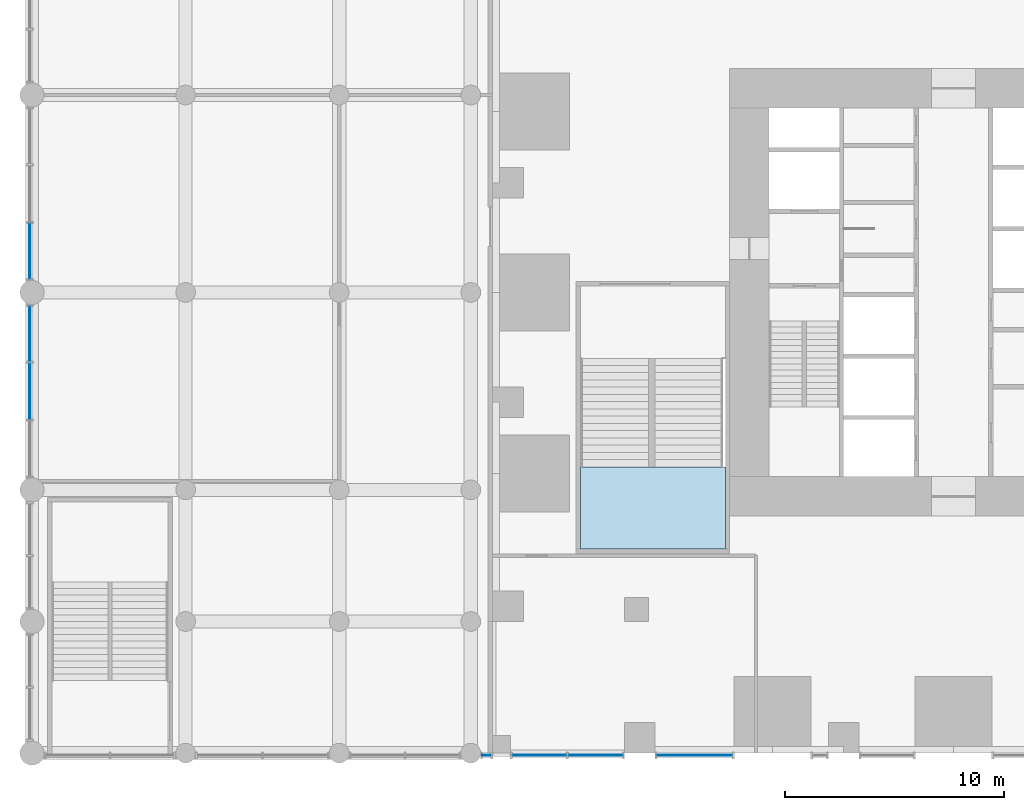
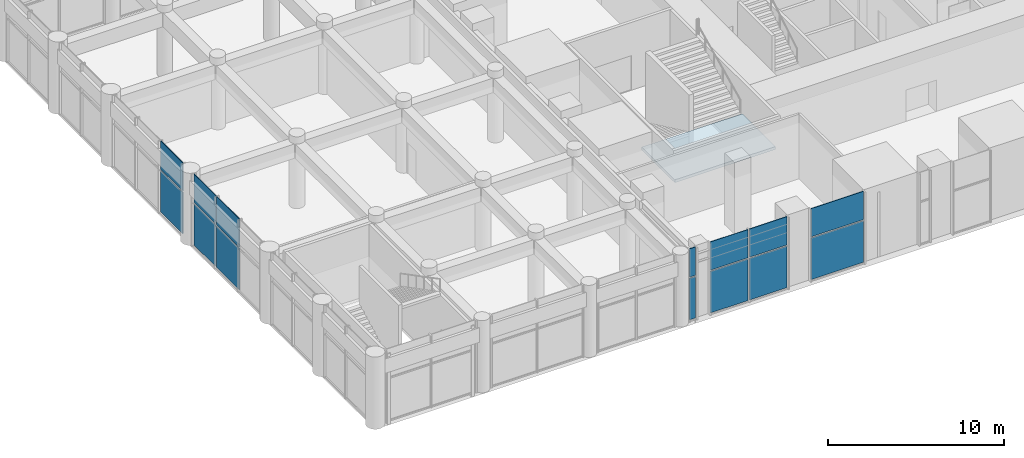
# One storey, part 10 of 23: 14 plates, 1 slab, 6 elements without a shape of their own.
"""IFC4 building model written with IfcOpenShell, lengths in metres."""

import ifcopenshell
import ifcopenshell.guid

model = None  # the IFC model being written
_history = None  # IfcOwnerHistory: only IFC2X3 demands one
_inside = {}  # id of a spatial element -> (the spatial element, [elements in it])
_under = {}  # id of a project, library or spatial element -> (it, [spatial elements below it])
_declared = {}  # id of a project -> (the project, [libraries it declares])
_typed = {}  # id of a type object -> (the type object, [elements of that type])
_made_of = {}  # id of a material, layer set ... -> (it, [elements and type objects made of it])


def new_model(schema):
    """Start an empty IFC model of exactly this schema.

    Asked for "IFC4X3", IfcOpenShell would pick the latest addendum, in which some entities
    have other attributes; the version numbers below select the first issue.
    IFC2X3 requires an IfcOwnerHistory on every rooted entity: one is made here for all.
    """
    global model, _history
    if schema == "IFC4X3":
        model = ifcopenshell.file(schema_version=(4, 3, 0, 0))
    else:
        model = ifcopenshell.file(schema=schema)
    _inside.clear()
    _under.clear()
    _declared.clear()
    _typed.clear()
    _made_of.clear()
    _history = None
    if model.schema == "IFC2X3":
        org = make("IfcOrganization", Name="unknown")
        user = make(
            "IfcPersonAndOrganization",
            ThePerson=make("IfcPerson", FamilyName="unknown"),
            TheOrganization=org,
        )
        app = make(
            "IfcApplication",
            ApplicationDeveloper=org,
            Version="unknown",
            ApplicationFullName="unknown",
            ApplicationIdentifier="unknown",
        )
        _history = make(
            "IfcOwnerHistory",
            OwningUser=user,
            OwningApplication=app,
            ChangeAction="ADDED",
            CreationDate=0,
        )
    return model


def make(cls, **values):
    """One entity of the class cls with the attributes given. An attribute that is None is left unset."""
    return model.create_entity(
        cls, **{name: value for name, value in values.items() if value is not None}
    )


def rooted(cls, **values):
    """An entity with a GlobalId (a new one), such as an element, a storey or a relation."""
    return make(cls, GlobalId=ifcopenshell.guid.new(), OwnerHistory=_history, **values)


def si_unit(unit_type, name, prefix=None):
    """IfcSIUnit, for example si_unit("LENGTHUNIT", "METRE", prefix="MILLI")."""
    return make("IfcSIUnit", UnitType=unit_type, Prefix=prefix, Name=name)


def assignment(units):
    """IfcUnitAssignment: the units of a project."""
    return None if units is None else make("IfcUnitAssignment", Units=units)


def point(xyz):
    """IfcCartesianPoint."""
    return None if xyz is None else make("IfcCartesianPoint", Coordinates=xyz)


def direction(xyz):
    """IfcDirection."""
    return None if xyz is None else make("IfcDirection", DirectionRatios=xyz)


def frame(location, z_axis=None, x_axis=None):
    """IfcAxis2Placement3D, a coordinate frame: its origin and axes. An axis left out is left unset."""
    return make(
        "IfcAxis2Placement3D",
        Location=point(location),
        Axis=direction(z_axis),
        RefDirection=direction(x_axis),
    )


def frame_2d(location, x_axis=None):
    """IfcAxis2Placement2D, a coordinate frame in the plane: its origin and x axis."""
    return make(
        "IfcAxis2Placement2D", Location=point(location), RefDirection=direction(x_axis)
    )


def origin():
    """The frame at (0, 0, 0) with its axes left unset."""
    return frame((0.0, 0.0, 0.0))


def origin_2d():
    """The frame at (0, 0) in the plane with its x axis left unset."""
    return frame_2d((0.0, 0.0))


def place(relative_to, where):
    """IfcLocalPlacement: puts the frame where relative to a parent placement (None: the world)."""
    return make(
        "IfcLocalPlacement", PlacementRelTo=relative_to, RelativePlacement=where
    )


def context(
    kind, dimensions, precision=None, world=None, true_north=None, identifier=None
):
    """IfcGeometricRepresentationContext, for example the 3D "Model" context."""
    return make(
        "IfcGeometricRepresentationContext",
        ContextIdentifier=identifier,
        ContextType=kind,
        CoordinateSpaceDimension=dimensions,
        Precision=precision,
        WorldCoordinateSystem=world,
        TrueNorth=true_north,
    )


def subcontext(parent, identifier, kind, view, scale=None):
    """IfcGeometricRepresentationSubContext, for example "Body" below "Model"."""
    return make(
        "IfcGeometricRepresentationSubContext",
        ContextIdentifier=identifier,
        ContextType=kind,
        ParentContext=parent,
        TargetScale=scale,
        TargetView=view,
    )


def project(units=None, contexts=None):
    """IfcProject with its units and contexts."""
    return rooted(
        "IfcProject",
        Name="project",
        RepresentationContexts=contexts,
        UnitsInContext=assignment(units),
    )


def spatial(cls, under=None, at=None, **own):
    """A site, building, storey or space (cls), placed at a placement, below another one or the project."""
    s = rooted(cls, ObjectPlacement=at, **own)
    if under is not None:
        _under.setdefault(under.id(), (under, []))[1].append(s)
    return s


def polyline(points):
    """IfcPolyline through the points."""
    return make("IfcPolyline", Points=[point(p) for p in points])


def profile(cls, at=None, kind="AREA", **sizes):
    """A parametric profile (cls). Its sizes go by their IFC names, for example OverallWidth=200.0."""
    return make(cls, ProfileType=kind, Position=at, **sizes)


def rectangle(**sizes):
    """IfcRectangleProfileDef."""
    return profile("IfcRectangleProfileDef", **sizes)


def outline(outer, holes=None, kind="AREA"):
    """IfcArbitraryClosedProfileDef: a profile drawn as a closed curve; with holes, ...WithVoids."""
    if holes is None:
        return make("IfcArbitraryClosedProfileDef", ProfileType=kind, OuterCurve=outer)
    return make(
        "IfcArbitraryProfileDefWithVoids",
        ProfileType=kind,
        OuterCurve=outer,
        InnerCurves=holes,
    )


def extrude(swept, where, along, depth):
    """IfcExtrudedAreaSolid: the profile swept, set in the frame where, extruded along a direction by depth."""
    return make(
        "IfcExtrudedAreaSolid",
        SweptArea=swept,
        Position=where,
        ExtrudedDirection=direction(along),
        Depth=depth,
    )


def shape(context_of_items, identifier, shape_type, items):
    """IfcShapeRepresentation: the items that make up one representation, for example the "Body"."""
    return make(
        "IfcShapeRepresentation",
        ContextOfItems=context_of_items,
        RepresentationIdentifier=identifier,
        RepresentationType=shape_type,
        Items=items,
    )


def material(Name=None, Category=None):
    """IfcMaterial."""
    return make("IfcMaterial", Name=Name, Category=Category)


def layer(
    of_material, thickness, ventilated=None, Name=None, Category=None, Priority=None
):
    """IfcMaterialLayer: one layer of a wall or slab, of a material (None: an air gap)."""
    return make(
        "IfcMaterialLayer",
        Material=of_material,
        LayerThickness=thickness,
        IsVentilated=ventilated,
        Name=Name,
        Category=Category,
        Priority=Priority,
    )


def layer_set(layers, Name=None):
    """IfcMaterialLayerSet."""
    return make("IfcMaterialLayerSet", MaterialLayers=layers, LayerSetName=Name)


def made_of(thing, what):
    """Note that an element or type object is made of a material, layer set ...; save() writes the relation."""
    if what is not None:
        _made_of.setdefault(what.id(), (what, []))[1].append(thing)
    return thing


def type_object(cls, material=None, **own):
    """A type object (cls), such as IfcWallType, which elements share."""
    return made_of(rooted(cls, **own), material)


def element(
    cls,
    number,
    at=None,
    inside=None,
    cuts=None,
    type_object=None,
    material=None,
    context=None,
    identifier="Body",
    shape_type=None,
    held_by="IfcProductDefinitionShape",
    body=None,
    shapes=None,
    **own,
):
    """One element of the class cls, such as IfcWall. Its Tag is "e" and its number.

    at: its placement. inside: the storey or other place that contains it. cuts: it is an
    opening in that element (IfcRelVoidsElement). A single representation is given by context,
    identifier, shape_type and body (its items); several are given by shapes. held_by: the class
    of the entity that holds the representations. save() writes the other relations.
    """
    e = rooted(cls, Tag="e%d" % number, ObjectPlacement=at, **own)
    if body is not None:
        shapes = [shape(context, identifier, shape_type, body)]
    if shapes is not None:
        e.Representation = make(held_by, Representations=shapes)
    if inside is not None:
        _inside.setdefault(inside.id(), (inside, []))[1].append(e)
    if cuts is not None:
        rooted(
            "IfcRelVoidsElement", RelatingBuildingElement=cuts, RelatedOpeningElement=e
        )
    if type_object is not None:
        _typed.setdefault(type_object.id(), (type_object, []))[1].append(e)
    return made_of(e, material)


def aggregate(whole, parts):
    """IfcRelAggregates: a whole, such as a stair, and the parts it consists of."""
    return rooted("IfcRelAggregates", RelatingObject=whole, RelatedObjects=parts)


def save(model, path):
    """Write the relations noted so far, then the file.

    IfcRelAggregates (storeys below a building ...), IfcRelContainedInSpatialStructure (elements
    in a storey), IfcRelDefinesByType, IfcRelAssociatesMaterial and IfcRelDeclares: one each for
    every whole, place, type object, material and project.
    """
    for whole, parts in _under.values():
        aggregate(whole, parts)
    for where, things in _inside.values():
        rooted(
            "IfcRelContainedInSpatialStructure",
            RelatedElements=things,
            RelatingStructure=where,
        )
    for kind, things in _typed.values():
        rooted("IfcRelDefinesByType", RelatedObjects=things, RelatingType=kind)
    for what, things in _made_of.values():
        rooted("IfcRelAssociatesMaterial", RelatedObjects=things, RelatingMaterial=what)
    for by, libraries in _declared.values():
        rooted("IfcRelDeclares", RelatingContext=by, RelatedDefinitions=libraries)
    model.write(path)


model = new_model("IFC4")

# Units and contexts
model_context = context("Model", 3, precision=1e-05, world=origin(), true_north=direction((0.0, 1.0)))
body_context = subcontext(model_context, "Body", "Model", "MODEL_VIEW")
ifc_project = project(units=[si_unit("LENGTHUNIT", "METRE"), si_unit("AREAUNIT", "SQUARE_METRE"), si_unit("VOLUMEUNIT", "CUBIC_METRE"), si_unit("PLANEANGLEUNIT", "RADIAN"), si_unit("MASSUNIT", "GRAM", prefix="KILO")], contexts=[model_context])

# Site, building, storey
site_placement = place(None, origin())
site = spatial("IfcSite", under=ifc_project, at=site_placement, CompositionType="ELEMENT")
building_placement = place(site_placement, origin())
building = spatial("IfcBuilding", under=site, at=building_placement, Name="Svetlomir Tower", CompositionType="ELEMENT")
storey_placement = place(building_placement, frame((0.0, 0.0, 6.0)))
storey = spatial("IfcBuildingStorey", under=building, at=storey_placement, Name="L01", CompositionType="ELEMENT", Elevation=6.0)

# Curtain wall, plates
ifc_material_1 = material(Name="Bronze anodised aluminium curtain wall", Category="aluminium")
curtain_wall_type = type_object("IfcCurtainWallType", Name="CURTAIN WALL CW5 PODIUM", PredefinedType="NOTDEFINED", material=ifc_material_1)
curtain_wall_1_placement = place(storey_placement, origin())
curtain_wall_1 = element("IfcCurtainWall", 1, at=curtain_wall_1_placement, inside=storey, type_object=curtain_wall_type, Name="Curtain wall CW5 L01", PredefinedType="NOTDEFINED")
ifc_material_2 = material(Name="Tinted double glazed unit", Category="glass")
ifc_layer_1 = layer(ifc_material_2, 0.0400390625)
ifc_layer_set_1 = layer_set([ifc_layer_1], Name="Tinted double glazed unit")
plate_type = type_object("IfcPlateType", Name="CW5 GLAZED PANEL 40", PredefinedType="CURTAIN_PANEL", material=ifc_layer_set_1)
plate_1_placement = place(storey_placement, frame((-0.27490234375, -0.10009765625, 0.080078125), z_axis=(0.0, 0.0, 1.0), x_axis=(1.0, 0.0, 0.0)))
plate_1 = element("IfcPlate", 2, at=plate_1_placement, type_object=plate_type, Name="CW5 panel 1.1", PredefinedType="CURTAIN_PANEL", context=body_context, shape_type="SweptSolid", body=[
    extrude(rectangle(XDim=0.389892578125, YDim=0.0400390625, at=origin_2d()), origin(), (0.0, 0.0, 1.0), 2.8798828125),
])
plate_2_placement = place(storey_placement, frame((-0.27490234375, -0.10009765625, 3.0400390625), z_axis=(0.0, 0.0, 1.0), x_axis=(1.0, 0.0, 0.0)))
plate_2 = element("IfcPlate", 3, at=plate_2_placement, type_object=plate_type, Name="CW5 panel 1.2", PredefinedType="CURTAIN_PANEL", context=body_context, shape_type="SweptSolid", body=[
    extrude(rectangle(XDim=0.389892578125, YDim=0.0400390625, at=origin_2d()), origin(), (0.0, 0.0, 1.0), 1.9599609375),
])
aggregate(curtain_wall_1, [plate_1, plate_2])

curtain_wall_2_placement = place(storey_placement, origin())
curtain_wall_2 = element("IfcCurtainWall", 4, at=curtain_wall_2_placement, inside=storey, type_object=curtain_wall_type, Name="Curtain wall CW5 L01", PredefinedType="NOTDEFINED")
plate_3_placement = place(storey_placement, frame((2.1201171875, -0.10009765625, 0.080078125), z_axis=(0.0, 0.0, 1.0), x_axis=(1.0, 0.0, 0.0)))
plate_3 = element("IfcPlate", 5, at=plate_3_placement, type_object=plate_type, Name="CW5 panel 1.1", PredefinedType="CURTAIN_PANEL", context=body_context, shape_type="SweptSolid", body=[
    extrude(rectangle(XDim=2.47998046875, YDim=0.0400390625, at=origin_2d()), origin(), (0.0, 0.0, 1.0), 2.8798828125),
])
plate_4_placement = place(storey_placement, frame((2.1201171875, -0.10009765625, 3.0400390625), z_axis=(0.0, 0.0, 1.0), x_axis=(1.0, 0.0, 0.0)))
plate_4 = element("IfcPlate", 6, at=plate_4_placement, type_object=plate_type, Name="CW5 panel 1.2", PredefinedType="CURTAIN_PANEL", context=body_context, shape_type="SweptSolid", body=[
    extrude(rectangle(XDim=2.47998046875, YDim=0.0400390625, at=origin_2d()), origin(), (0.0, 0.0, 1.0), 1.9599609375),
])
plate_5_placement = place(storey_placement, frame((4.679931640625, -0.10009765625, 0.080078125), z_axis=(0.0, 0.0, 1.0), x_axis=(1.0, 0.0, 0.0)))
plate_5 = element("IfcPlate", 7, at=plate_5_placement, type_object=plate_type, Name="CW5 panel 2.1", PredefinedType="CURTAIN_PANEL", context=body_context, shape_type="SweptSolid", body=[
    extrude(rectangle(XDim=2.47998046875, YDim=0.0400390625, at=origin_2d()), origin(), (0.0, 0.0, 1.0), 2.8798828125),
])
plate_6_placement = place(storey_placement, frame((4.679931640625, -0.10009765625, 3.0400390625), z_axis=(0.0, 0.0, 1.0), x_axis=(1.0, 0.0, 0.0)))
plate_6 = element("IfcPlate", 8, at=plate_6_placement, type_object=plate_type, Name="CW5 panel 2.2", PredefinedType="CURTAIN_PANEL", context=body_context, shape_type="SweptSolid", body=[
    extrude(rectangle(XDim=2.47998046875, YDim=0.0400390625, at=origin_2d()), origin(), (0.0, 0.0, 1.0), 1.9599609375),
])
aggregate(curtain_wall_2, [plate_3, plate_4, plate_5, plate_6])

curtain_wall_3_placement = place(storey_placement, origin())
curtain_wall_3 = element("IfcCurtainWall", 9, at=curtain_wall_3_placement, inside=storey, type_object=curtain_wall_type, Name="Curtain wall CW5 L01", PredefinedType="NOTDEFINED")
plate_7_placement = place(storey_placement, frame((9.199951171875, -0.10009765625, 0.080078125), z_axis=(0.0, 0.0, 1.0), x_axis=(1.0, 0.0, 0.0)))
plate_7 = element("IfcPlate", 10, at=plate_7_placement, type_object=plate_type, Name="CW5 panel 1.1", PredefinedType="CURTAIN_PANEL", context=body_context, shape_type="SweptSolid", body=[
    extrude(rectangle(XDim=3.43994140625, YDim=0.0400390625, at=origin_2d()), origin(), (0.0, 0.0, 1.0), 2.8798828125),
])
plate_8_placement = place(storey_placement, frame((9.199951171875, -0.10009765625, 3.0400390625), z_axis=(0.0, 0.0, 1.0), x_axis=(1.0, 0.0, 0.0)))
plate_8 = element("IfcPlate", 11, at=plate_8_placement, type_object=plate_type, Name="CW5 panel 1.2", PredefinedType="CURTAIN_PANEL", context=body_context, shape_type="SweptSolid", body=[
    extrude(rectangle(XDim=3.43994140625, YDim=0.0400390625, at=origin_2d()), origin(), (0.0, 0.0, 1.0), 1.9599609375),
])
aggregate(curtain_wall_3, [plate_7, plate_8])

curtain_wall_4_placement = place(storey_placement, origin())
curtain_wall_4 = element("IfcCurtainWall", 12, at=curtain_wall_4_placement, inside=storey, type_object=curtain_wall_type, Name="Curtain wall CW5 L01", PredefinedType="NOTDEFINED")
plate_9_placement = place(storey_placement, frame((-21.10009765625, 22.88671875, 0.080078125), z_axis=(0.0, 0.0, 1.0), x_axis=(0.0, -1.0, 0.0)))
plate_9 = element("IfcPlate", 13, at=plate_9_placement, type_object=plate_type, Name="CW5 panel 3.1", PredefinedType="CURTAIN_PANEL", context=body_context, shape_type="SweptSolid", body=[
    extrude(rectangle(XDim=2.513427734375, YDim=0.0400390625, at=origin_2d()), origin(), (0.0, 0.0, 1.0), 2.8798828125),
])
plate_10_placement = place(storey_placement, frame((-21.10009765625, 22.88671875, 3.0400390625), z_axis=(0.0, 0.0, 1.0), x_axis=(0.0, -1.0, 0.0)))
plate_10 = element("IfcPlate", 14, at=plate_10_placement, type_object=plate_type, Name="CW5 panel 3.2", PredefinedType="CURTAIN_PANEL", context=body_context, shape_type="SweptSolid", body=[
    extrude(rectangle(XDim=2.513427734375, YDim=0.0400390625, at=origin_2d()), origin(), (0.0, 0.0, 1.0), 1.9599609375),
])
aggregate(curtain_wall_4, [plate_9, plate_10])

curtain_wall_5_placement = place(storey_placement, origin())
curtain_wall_5 = element("IfcCurtainWall", 15, at=curtain_wall_5_placement, inside=storey, type_object=curtain_wall_type, Name="Curtain wall CW5 L01", PredefinedType="NOTDEFINED")
plate_11_placement = place(storey_placement, frame((-21.10009765625, 19.11328125, 0.080078125), z_axis=(0.0, 0.0, 1.0), x_axis=(0.0, -1.0, 0.0)))
plate_11 = element("IfcPlate", 16, at=plate_11_placement, type_object=plate_type, Name="CW5 panel 1.1", PredefinedType="CURTAIN_PANEL", context=body_context, shape_type="SweptSolid", body=[
    extrude(rectangle(XDim=2.513427734375, YDim=0.0400390625, at=origin_2d()), origin(), (0.0, 0.0, 1.0), 2.8798828125),
])
plate_12_placement = place(storey_placement, frame((-21.10009765625, 19.11328125, 3.0400390625), z_axis=(0.0, 0.0, 1.0), x_axis=(0.0, -1.0, 0.0)))
plate_12 = element("IfcPlate", 17, at=plate_12_placement, type_object=plate_type, Name="CW5 panel 1.2", PredefinedType="CURTAIN_PANEL", context=body_context, shape_type="SweptSolid", body=[
    extrude(rectangle(XDim=2.513427734375, YDim=0.0400390625, at=origin_2d()), origin(), (0.0, 0.0, 1.0), 1.9599609375),
])
plate_13_placement = place(storey_placement, frame((-21.10009765625, 16.5, 0.080078125), z_axis=(0.0, 0.0, 1.0), x_axis=(0.0, -1.0, 0.0)))
plate_13 = element("IfcPlate", 18, at=plate_13_placement, type_object=plate_type, Name="CW5 panel 2.1", PredefinedType="CURTAIN_PANEL", context=body_context, shape_type="SweptSolid", body=[
    extrude(rectangle(XDim=2.55322265625, YDim=0.0400390625, at=origin_2d()), origin(), (0.0, 0.0, 1.0), 2.8798828125),
])
plate_14_placement = place(storey_placement, frame((-21.10009765625, 16.5, 3.0400390625), z_axis=(0.0, 0.0, 1.0), x_axis=(0.0, -1.0, 0.0)))
plate_14 = element("IfcPlate", 19, at=plate_14_placement, type_object=plate_type, Name="CW5 panel 2.2", PredefinedType="CURTAIN_PANEL", context=body_context, shape_type="SweptSolid", body=[
    extrude(rectangle(XDim=2.55322265625, YDim=0.0400390625, at=origin_2d()), origin(), (0.0, 0.0, 1.0), 1.9599609375),
])
aggregate(curtain_wall_5, [plate_11, plate_12, plate_13, plate_14])

# Stair, slab
ifc_material_3 = material(Name="Concrete C60/75", Category="concrete")
stair_type = type_object("IfcStairType", Name="EXIT STAIR 6600 RISE 5000", PredefinedType="HALF_TURN_STAIR", material=ifc_material_3)
stair_placement = place(storey_placement, origin())
stair = element("IfcStair", 20, at=stair_placement, inside=storey, type_object=stair_type, Name="Stair P1 L01 to L02", PredefinedType="HALF_TURN_STAIR")
ifc_material_4 = material(Name="Concrete C60/75", Category="concrete")
ifc_layer_2 = layer(ifc_material_4, 0.199951171875)
ifc_layer_set_2 = layer_set([ifc_layer_2], Name="Concrete C60/75")
slab_type = type_object("IfcSlabType", Name="STAIR LANDING 200", PredefinedType="LANDING", material=ifc_layer_set_2)
slab_placement = place(storey_placement, frame((0.0, 0.0, 2.300048828125)))
slab = element("IfcSlab", 21, at=slab_placement, type_object=slab_type, Name="P1 landing 1", PredefinedType="LANDING", context=body_context, shape_type="SweptSolid", body=[
    extrude(outline(polyline([(4.0, 9.300048828125), (10.60009765625, 9.300048828125), (10.60009765625, 13.050048828125), (4.0, 13.050048828125), (4.0, 9.300048828125)])), origin(), (0.0, 0.0, 1.0), 0.199951171875),
])
aggregate(stair, [slab])

save(model, "model.ifc")
